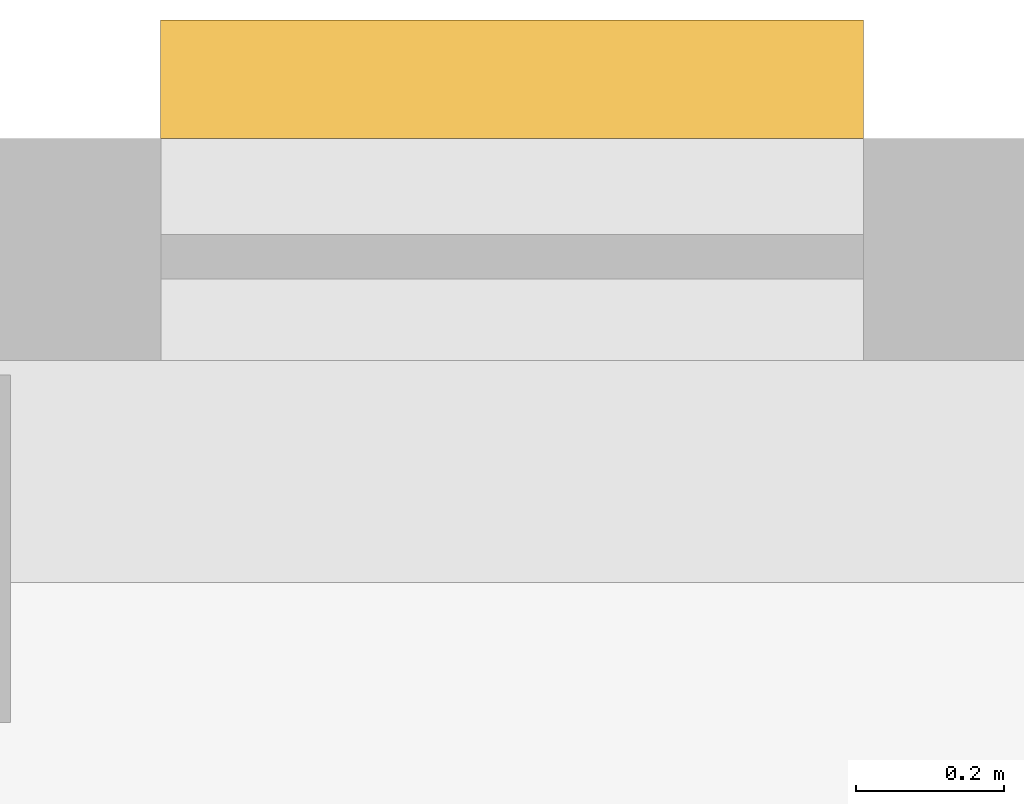
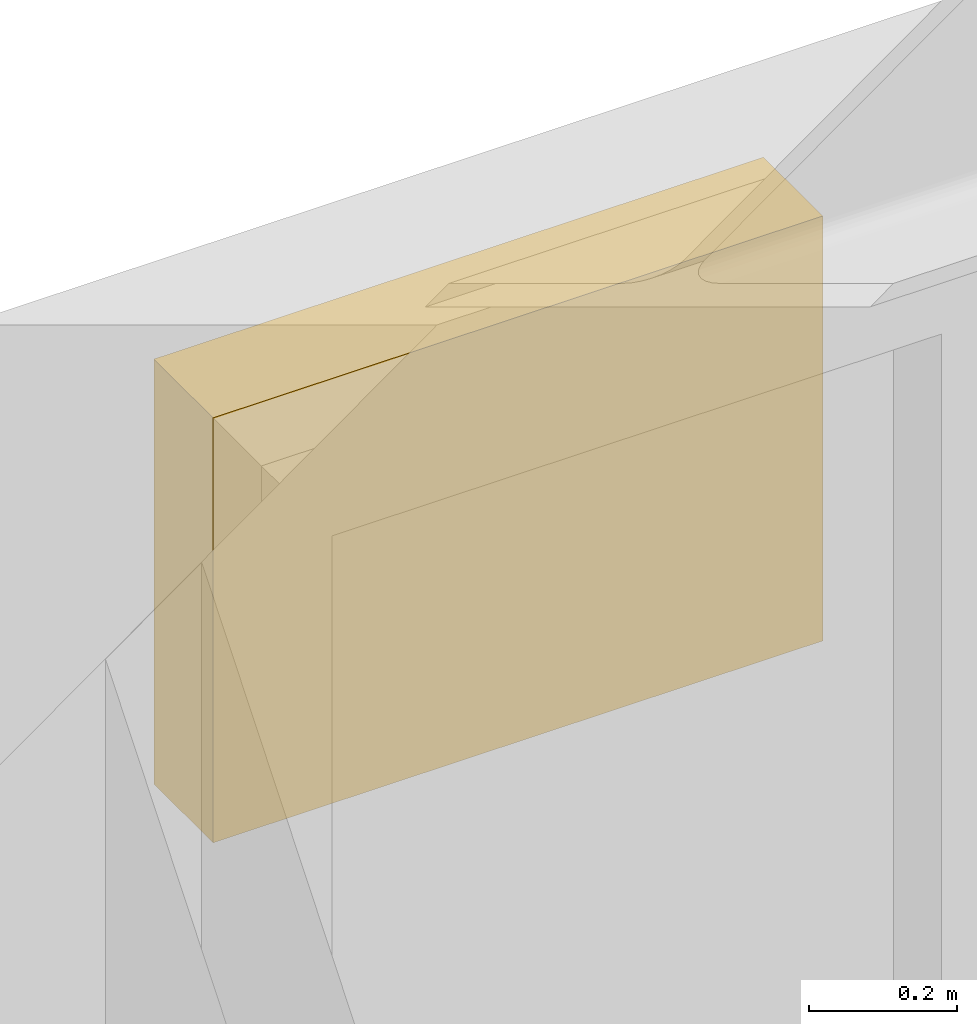
# One storey, part 10 of 10: 1 shading device.
"""IFC4 building model written with IfcOpenShell, lengths in metres."""

from ifc_helpers import new_model, si_unit, direction, frame, origin, origin_2d, place, context, subcontext, project, spatial, rectangle, extrude, material, type_object, element, save


model = new_model("IFC4")

# Units and contexts
model_context = context("Model", 3, precision=1e-05, world=origin(), true_north=direction((0.0, 1.0)))
body_context = subcontext(model_context, "Body", "Model", "MODEL_VIEW")
ifc_project = project(units=[si_unit("LENGTHUNIT", "METRE"), si_unit("AREAUNIT", "SQUARE_METRE"), si_unit("VOLUMEUNIT", "CUBIC_METRE"), si_unit("PLANEANGLEUNIT", "RADIAN"), si_unit("MASSUNIT", "GRAM", prefix="KILO")], contexts=[model_context])

# Site, building, storey
site_placement = place(None, origin())
site = spatial("IfcSite", under=ifc_project, at=site_placement, CompositionType="ELEMENT")
building_placement = place(site_placement, origin())
building = spatial("IfcBuilding", under=site, at=building_placement, Name="Orvandelia Arch Residences", CompositionType="ELEMENT")
storey_placement = place(building_placement, frame((0.0, 0.0, 143.199951171875)))
storey = spatial("IfcBuildingStorey", under=building, at=storey_placement, Name="L37", CompositionType="ELEMENT", Elevation=143.199951171875)

# Shading device
ifc_material = material(Name="Anodised Champagne-Bronze Extruded Aluminium", Category="aluminium")
shading_device_type = type_object("IfcShadingDeviceType", Name="SHD-JALOUSIE-SCREEN", PredefinedType="JALOUSIE", material=ifc_material)
shading_device_placement = place(storey_placement, frame((17.952392578125, 48.080078125, 1.55029296875), z_axis=(0.0, 0.0, 1.0), x_axis=(1.0, 0.0, 0.0)))
element("IfcShadingDevice", 1, at=shading_device_placement, inside=storey, type_object=shading_device_type, Name="Bronze Jalousie Sun-Shade L37-001", PredefinedType="JALOUSIE", context=body_context, shape_type="SweptSolid", body=[
    extrude(rectangle(XDim=0.949951171875, YDim=0.159912109375, at=origin_2d()), origin(), (0.0, 0.0, 1.0), 0.699951171875),
])

save(model, "model.ifc")
